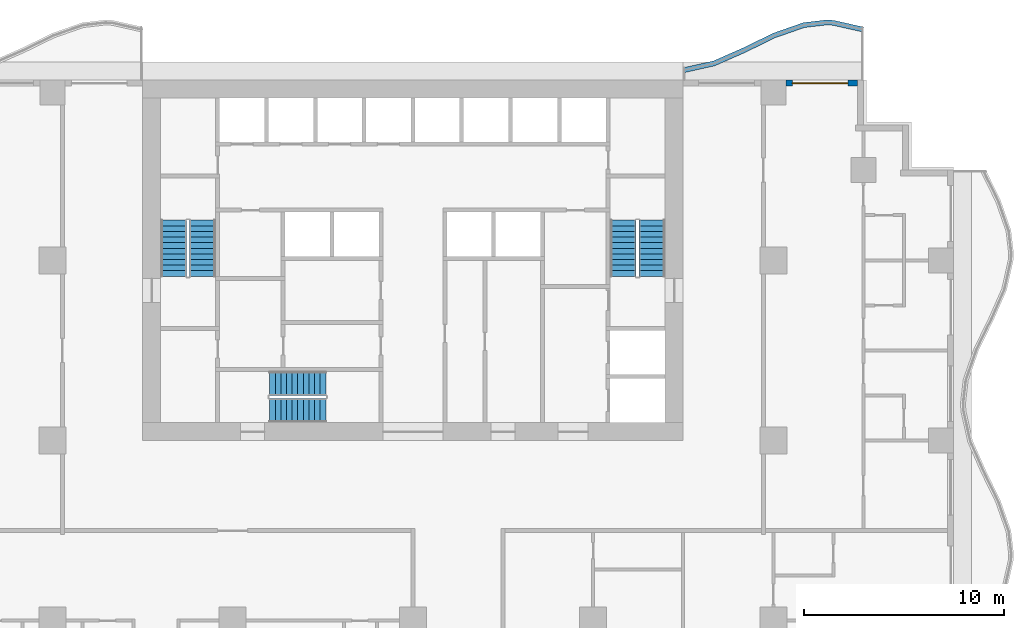
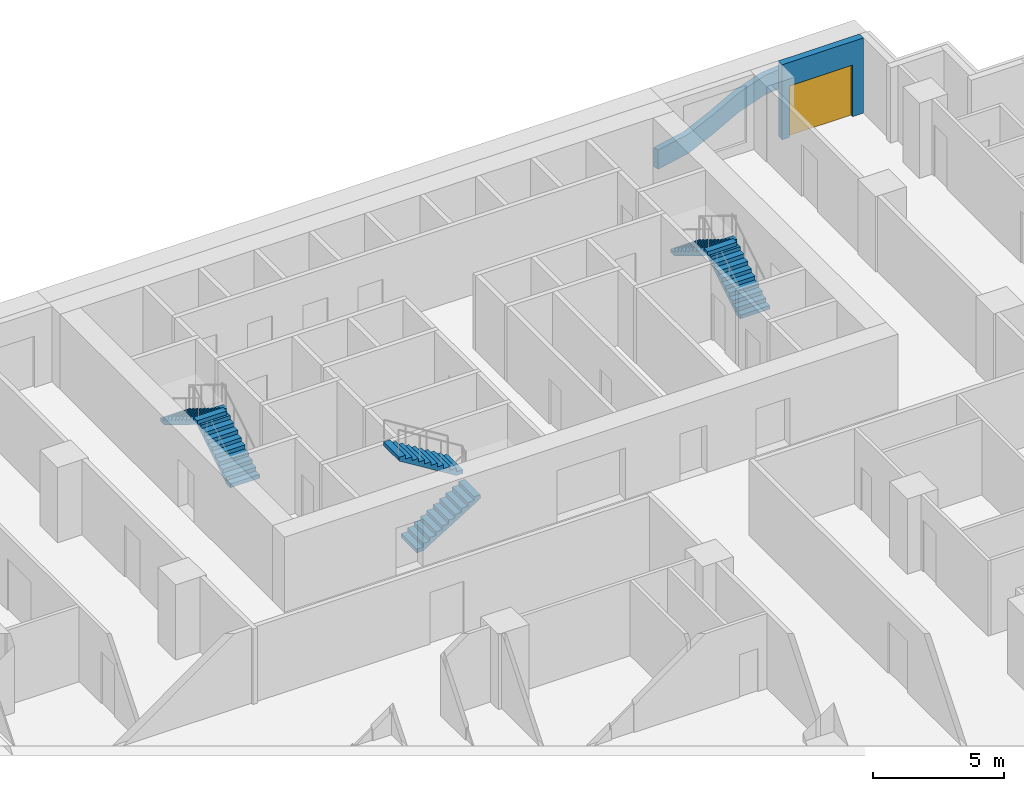
# One storey, part 7 of 14: 6 stair flights, 2 walls, 1 door, 1 opening, 3 elements without a shape of their own.
"""IFC4 building model written with IfcOpenShell, lengths in metres."""

import ifcopenshell
import ifcopenshell.guid

model = None  # the IFC model being written
_history = None  # IfcOwnerHistory: only IFC2X3 demands one
_inside = {}  # id of a spatial element -> (the spatial element, [elements in it])
_under = {}  # id of a project, library or spatial element -> (it, [spatial elements below it])
_declared = {}  # id of a project -> (the project, [libraries it declares])
_typed = {}  # id of a type object -> (the type object, [elements of that type])
_made_of = {}  # id of a material, layer set ... -> (it, [elements and type objects made of it])


def new_model(schema):
    """Start an empty IFC model of exactly this schema.

    Asked for "IFC4X3", IfcOpenShell would pick the latest addendum, in which some entities
    have other attributes; the version numbers below select the first issue.
    IFC2X3 requires an IfcOwnerHistory on every rooted entity: one is made here for all.
    """
    global model, _history
    if schema == "IFC4X3":
        model = ifcopenshell.file(schema_version=(4, 3, 0, 0))
    else:
        model = ifcopenshell.file(schema=schema)
    _inside.clear()
    _under.clear()
    _declared.clear()
    _typed.clear()
    _made_of.clear()
    _history = None
    if model.schema == "IFC2X3":
        org = make("IfcOrganization", Name="unknown")
        user = make(
            "IfcPersonAndOrganization",
            ThePerson=make("IfcPerson", FamilyName="unknown"),
            TheOrganization=org,
        )
        app = make(
            "IfcApplication",
            ApplicationDeveloper=org,
            Version="unknown",
            ApplicationFullName="unknown",
            ApplicationIdentifier="unknown",
        )
        _history = make(
            "IfcOwnerHistory",
            OwningUser=user,
            OwningApplication=app,
            ChangeAction="ADDED",
            CreationDate=0,
        )
    return model


def make(cls, **values):
    """One entity of the class cls with the attributes given. An attribute that is None is left unset."""
    return model.create_entity(
        cls, **{name: value for name, value in values.items() if value is not None}
    )


def rooted(cls, **values):
    """An entity with a GlobalId (a new one), such as an element, a storey or a relation."""
    return make(cls, GlobalId=ifcopenshell.guid.new(), OwnerHistory=_history, **values)


def si_unit(unit_type, name, prefix=None):
    """IfcSIUnit, for example si_unit("LENGTHUNIT", "METRE", prefix="MILLI")."""
    return make("IfcSIUnit", UnitType=unit_type, Prefix=prefix, Name=name)


def assignment(units):
    """IfcUnitAssignment: the units of a project."""
    return None if units is None else make("IfcUnitAssignment", Units=units)


def point(xyz):
    """IfcCartesianPoint."""
    return None if xyz is None else make("IfcCartesianPoint", Coordinates=xyz)


def direction(xyz):
    """IfcDirection."""
    return None if xyz is None else make("IfcDirection", DirectionRatios=xyz)


def frame(location, z_axis=None, x_axis=None):
    """IfcAxis2Placement3D, a coordinate frame: its origin and axes. An axis left out is left unset."""
    return make(
        "IfcAxis2Placement3D",
        Location=point(location),
        Axis=direction(z_axis),
        RefDirection=direction(x_axis),
    )


def frame_2d(location, x_axis=None):
    """IfcAxis2Placement2D, a coordinate frame in the plane: its origin and x axis."""
    return make(
        "IfcAxis2Placement2D", Location=point(location), RefDirection=direction(x_axis)
    )


def origin():
    """The frame at (0, 0, 0) with its axes left unset."""
    return frame((0.0, 0.0, 0.0))


def place(relative_to, where):
    """IfcLocalPlacement: puts the frame where relative to a parent placement (None: the world)."""
    return make(
        "IfcLocalPlacement", PlacementRelTo=relative_to, RelativePlacement=where
    )


def context(
    kind, dimensions, precision=None, world=None, true_north=None, identifier=None
):
    """IfcGeometricRepresentationContext, for example the 3D "Model" context."""
    return make(
        "IfcGeometricRepresentationContext",
        ContextIdentifier=identifier,
        ContextType=kind,
        CoordinateSpaceDimension=dimensions,
        Precision=precision,
        WorldCoordinateSystem=world,
        TrueNorth=true_north,
    )


def subcontext(parent, identifier, kind, view, scale=None):
    """IfcGeometricRepresentationSubContext, for example "Body" below "Model"."""
    return make(
        "IfcGeometricRepresentationSubContext",
        ContextIdentifier=identifier,
        ContextType=kind,
        ParentContext=parent,
        TargetScale=scale,
        TargetView=view,
    )


def project(units=None, contexts=None):
    """IfcProject with its units and contexts."""
    return rooted(
        "IfcProject",
        Name="project",
        RepresentationContexts=contexts,
        UnitsInContext=assignment(units),
    )


def spatial(cls, under=None, at=None, **own):
    """A site, building, storey or space (cls), placed at a placement, below another one or the project."""
    s = rooted(cls, ObjectPlacement=at, **own)
    if under is not None:
        _under.setdefault(under.id(), (under, []))[1].append(s)
    return s


def polyline(points):
    """IfcPolyline through the points."""
    return make("IfcPolyline", Points=[point(p) for p in points])


def profile(cls, at=None, kind="AREA", **sizes):
    """A parametric profile (cls). Its sizes go by their IFC names, for example OverallWidth=200.0."""
    return make(cls, ProfileType=kind, Position=at, **sizes)


def rectangle(**sizes):
    """IfcRectangleProfileDef."""
    return profile("IfcRectangleProfileDef", **sizes)


def outline(outer, holes=None, kind="AREA"):
    """IfcArbitraryClosedProfileDef: a profile drawn as a closed curve; with holes, ...WithVoids."""
    if holes is None:
        return make("IfcArbitraryClosedProfileDef", ProfileType=kind, OuterCurve=outer)
    return make(
        "IfcArbitraryProfileDefWithVoids",
        ProfileType=kind,
        OuterCurve=outer,
        InnerCurves=holes,
    )


def extrude(swept, where, along, depth):
    """IfcExtrudedAreaSolid: the profile swept, set in the frame where, extruded along a direction by depth."""
    return make(
        "IfcExtrudedAreaSolid",
        SweptArea=swept,
        Position=where,
        ExtrudedDirection=direction(along),
        Depth=depth,
    )


def shape(context_of_items, identifier, shape_type, items):
    """IfcShapeRepresentation: the items that make up one representation, for example the "Body"."""
    return make(
        "IfcShapeRepresentation",
        ContextOfItems=context_of_items,
        RepresentationIdentifier=identifier,
        RepresentationType=shape_type,
        Items=items,
    )


def material(Name=None, Category=None):
    """IfcMaterial."""
    return make("IfcMaterial", Name=Name, Category=Category)


def layer(
    of_material, thickness, ventilated=None, Name=None, Category=None, Priority=None
):
    """IfcMaterialLayer: one layer of a wall or slab, of a material (None: an air gap)."""
    return make(
        "IfcMaterialLayer",
        Material=of_material,
        LayerThickness=thickness,
        IsVentilated=ventilated,
        Name=Name,
        Category=Category,
        Priority=Priority,
    )


def layer_set(layers, Name=None):
    """IfcMaterialLayerSet."""
    return make("IfcMaterialLayerSet", MaterialLayers=layers, LayerSetName=Name)


def made_of(thing, what):
    """Note that an element or type object is made of a material, layer set ...; save() writes the relation."""
    if what is not None:
        _made_of.setdefault(what.id(), (what, []))[1].append(thing)
    return thing


def type_object(cls, material=None, **own):
    """A type object (cls), such as IfcWallType, which elements share."""
    return made_of(rooted(cls, **own), material)


def element(
    cls,
    number,
    at=None,
    inside=None,
    cuts=None,
    type_object=None,
    material=None,
    context=None,
    identifier="Body",
    shape_type=None,
    held_by="IfcProductDefinitionShape",
    body=None,
    shapes=None,
    **own,
):
    """One element of the class cls, such as IfcWall. Its Tag is "e" and its number.

    at: its placement. inside: the storey or other place that contains it. cuts: it is an
    opening in that element (IfcRelVoidsElement). A single representation is given by context,
    identifier, shape_type and body (its items); several are given by shapes. held_by: the class
    of the entity that holds the representations. save() writes the other relations.
    """
    e = rooted(cls, Tag="e%d" % number, ObjectPlacement=at, **own)
    if body is not None:
        shapes = [shape(context, identifier, shape_type, body)]
    if shapes is not None:
        e.Representation = make(held_by, Representations=shapes)
    if inside is not None:
        _inside.setdefault(inside.id(), (inside, []))[1].append(e)
    if cuts is not None:
        rooted(
            "IfcRelVoidsElement", RelatingBuildingElement=cuts, RelatedOpeningElement=e
        )
    if type_object is not None:
        _typed.setdefault(type_object.id(), (type_object, []))[1].append(e)
    return made_of(e, material)


def fill(opening, filler):
    """IfcRelFillsElement: the door or window that sits in an opening."""
    return rooted(
        "IfcRelFillsElement",
        RelatingOpeningElement=opening,
        RelatedBuildingElement=filler,
    )


def aggregate(whole, parts):
    """IfcRelAggregates: a whole, such as a stair, and the parts it consists of."""
    return rooted("IfcRelAggregates", RelatingObject=whole, RelatedObjects=parts)


def save(model, path):
    """Write the relations noted so far, then the file.

    IfcRelAggregates (storeys below a building ...), IfcRelContainedInSpatialStructure (elements
    in a storey), IfcRelDefinesByType, IfcRelAssociatesMaterial and IfcRelDeclares: one each for
    every whole, place, type object, material and project.
    """
    for whole, parts in _under.values():
        aggregate(whole, parts)
    for where, things in _inside.values():
        rooted(
            "IfcRelContainedInSpatialStructure",
            RelatedElements=things,
            RelatingStructure=where,
        )
    for kind, things in _typed.values():
        rooted("IfcRelDefinesByType", RelatedObjects=things, RelatingType=kind)
    for what, things in _made_of.values():
        rooted("IfcRelAssociatesMaterial", RelatedObjects=things, RelatingMaterial=what)
    for by, libraries in _declared.values():
        rooted("IfcRelDeclares", RelatingContext=by, RelatedDefinitions=libraries)
    model.write(path)


model = new_model("IFC4")

# Units and contexts
model_context = context("Model", 3, precision=1e-05, world=origin(), true_north=direction((0.0, 1.0)))
body_context = subcontext(model_context, "Body", "Model", "MODEL_VIEW")
ifc_project = project(units=[si_unit("LENGTHUNIT", "METRE"), si_unit("AREAUNIT", "SQUARE_METRE"), si_unit("VOLUMEUNIT", "CUBIC_METRE"), si_unit("PLANEANGLEUNIT", "RADIAN"), si_unit("MASSUNIT", "GRAM", prefix="KILO")], contexts=[model_context])

# Site, building, storey
site_placement = place(None, origin())
site = spatial("IfcSite", under=ifc_project, at=site_placement, CompositionType="ELEMENT")
building_placement = place(site_placement, origin())
building = spatial("IfcBuilding", under=site, at=building_placement, Name="Orbiselva Terraces", CompositionType="ELEMENT")
storey_placement = place(building_placement, frame((0.0, 0.0, 111.2)))
storey = spatial("IfcBuildingStorey", under=building, at=storey_placement, Name="L28", CompositionType="ELEMENT", Elevation=111.2)

# Wall
ifc_material_1 = material(Name="Concrete C40/50", Category="concrete")
ifc_layer_1 = layer(ifc_material_1, 0.25)
ifc_layer_set_1 = layer_set([ifc_layer_1], Name="Concrete C40/50")
wall_type_1 = type_object("IfcWallType", Name="ENV-PLANTER-250x900", PredefinedType="USERDEFINED", material=ifc_layer_set_1)
wall_1_placement = place(storey_placement, origin())
element("IfcWall", 1, at=wall_1_placement, inside=storey, type_object=wall_type_1, Name="Balcony planter L28 NE", ObjectType="PLANTER", PredefinedType="USERDEFINED", context=body_context, shape_type="SweptSolid", body=[
    extrude(outline(polyline([(22.5, 25.148528), (21.0, 25.485226), (20.625, 25.5), (19.5, 25.369208), (18.0, 24.844789), (16.5, 24.112279), (15.0, 23.451472), (13.5, 23.114774), (13.554754, 22.870844), (15.078508, 23.212874), (16.605286, 23.885477), (18.09644, 24.613667), (19.556371, 25.124078), (20.634572, 25.249429), (20.967435, 25.236315), (22.445246, 24.904598), (22.5, 25.148528)])), origin(), (0.0, 0.0, 1.0), 0.9),
])

# Wall, opening, door
ifc_material_2 = material(Name="Terracotta cladding on masonry backing", Category="masonry")
ifc_layer_2 = layer(ifc_material_2, 0.3)
ifc_layer_set_2 = layer_set([ifc_layer_2], Name="Terracotta cladding on masonry backing")
wall_type_2 = type_object("IfcWallType", Name="ENV-WALL-TERRACOTTA-300", PredefinedType="SOLIDWALL", material=ifc_layer_set_2)
wall_2_placement = place(storey_placement, frame((18.625, 22.35, 0.0), z_axis=(0.0, 0.0, 1.0), x_axis=(1.0, 0.0, 0.0)))
wall_2 = element("IfcWall", 2, at=wall_2_placement, inside=storey, type_object=wall_type_2, Name="Facade wall L28 NE", PredefinedType="SOLIDWALL", context=body_context, shape_type="SweptSolid", body=[
    extrude(rectangle(XDim=3.575, YDim=0.3, at=frame_2d((1.7875, 0.0))), origin(), (0.0, 0.0, 1.0), 3.5),
])
opening_placement = place(wall_2_placement, frame((0.325, 0.0, 0.0)))
opening = element("IfcOpeningElement", 3, at=opening_placement, cuts=wall_2, Name="Opening Z2-D-E15", PredefinedType="OPENING", context=body_context, shape_type="SweptSolid", body=[
    extrude(rectangle(XDim=2.775, YDim=2.4, at=frame_2d((1.3875, 1.2))), frame((0.0, 0.16, 0.0), z_axis=(0.0, -1.0, 0.0), x_axis=(1.0, 0.0, 0.0)), (0.0, 0.0, 1.0), 0.32),
])
ifc_material_3 = material(Name="Clear low-e glazing in aluminium frame", Category="aluminium")
door_type = type_object("IfcDoorType", Name="BALCONY DOOR 2775 X 2400", OperationType="DOUBLE_DOOR_SLIDING", PredefinedType="DOOR", material=ifc_material_3)
door_placement = place(opening_placement, origin())
door = element("IfcDoor", 4, at=door_placement, inside=storey, type_object=door_type, Name="Z2-D-E15", OperationType="SINGLE_SWING_LEFT", OverallHeight=2.4, OverallWidth=2.775, PredefinedType="DOOR", context=body_context, shape_type="SweptSolid", body=[
    extrude(rectangle(XDim=2.775, YDim=2.4, at=frame_2d((1.3875, 1.2))), frame((0.0, 0.025, 0.0), z_axis=(0.0, -1.0, 0.0), x_axis=(1.0, 0.0, 0.0)), (0.0, 0.0, 1.0), 0.05),
])
fill(opening, door)

# Stair, stair flights
stair_type_1 = type_object("IfcStairType", Name="CORE-STAIR-1200", PredefinedType="HALF_TURN_STAIR", material=ifc_material_1)
stair_1_placement = place(storey_placement, origin())
stair_1 = element("IfcStair", 5, at=stair_1_placement, inside=storey, type_object=stair_type_1, Name="L28 Exit Stair S3", PredefinedType="HALF_TURN_STAIR")
stair_flight_type_1 = type_object("IfcStairFlightType", Name="CORE-STAIR-FLIGHT-1200", PredefinedType="STRAIGHT", material=ifc_material_1)
stair_flight_1_placement = place(storey_placement, frame((-7.15, 6.0, 0.0), z_axis=(0.0, 0.0, 1.0), x_axis=(1.0, 0.0, 0.0)))
stair_flight_1 = element("IfcStairFlight", 6, at=stair_flight_1_placement, type_object=stair_flight_type_1, Name="S3 flight 1", NumberOfRisers=11, NumberOfTreads=10, PredefinedType="STRAIGHT", RiserHeight=0.172727273, TreadLength=0.28, context=body_context, shape_type="SweptSolid", body=[
    extrude(outline(polyline([(0.0, 0.0), (0.0, 0.172727), (0.28, 0.172727), (0.28, 0.345455), (0.56, 0.345455), (0.56, 0.518182), (0.84, 0.518182), (0.84, 0.690909), (1.12, 0.690909), (1.12, 0.863636), (1.4, 0.863636), (1.4, 1.036364), (1.68, 1.036364), (1.68, 1.209091), (1.96, 1.209091), (1.96, 1.381818), (2.24, 1.381818), (2.24, 1.554545), (2.52, 1.554545), (2.52, 1.727273), (2.8, 1.727273), (2.8, 1.9), (2.8, 1.551028), (0.285702, 0.0), (0.0, 0.0)])), frame((0.0, 0.6, 0.0), z_axis=(0.0, -1.0, 0.0), x_axis=(1.0, 0.0, 0.0)), (0.0, 0.0, 1.0), 1.2),
])
stair_flight_2_placement = place(storey_placement, frame((-4.35, 7.35, 1.9), z_axis=(0.0, 0.0, 1.0), x_axis=(-1.0, 0.0, 0.0)))
stair_flight_2 = element("IfcStairFlight", 7, at=stair_flight_2_placement, type_object=stair_flight_type_1, Name="S3 flight 2", NumberOfRisers=11, NumberOfTreads=10, PredefinedType="STRAIGHT", RiserHeight=0.172727273, TreadLength=0.28, context=body_context, shape_type="SweptSolid", body=[
    extrude(outline(polyline([(0.0, 0.0), (0.0, 0.172727), (0.28, 0.172727), (0.28, 0.345455), (0.56, 0.345455), (0.56, 0.518182), (0.84, 0.518182), (0.84, 0.690909), (1.12, 0.690909), (1.12, 0.863636), (1.4, 0.863636), (1.4, 1.036364), (1.68, 1.036364), (1.68, 1.209091), (1.96, 1.209091), (1.96, 1.381818), (2.24, 1.381818), (2.24, 1.554545), (2.52, 1.554545), (2.52, 1.727273), (2.8, 1.727273), (2.8, 1.9), (2.8, 1.551028), (0.285702, 0.0), (0.0, 0.0)])), frame((0.0, 0.6, 0.0), z_axis=(0.0, -1.0, 0.0), x_axis=(1.0, 0.0, 0.0)), (0.0, 0.0, 1.0), 1.2),
])
aggregate(stair_1, [stair_flight_1, stair_flight_2])

stair_type_2 = type_object("IfcStairType", Name="CORE-STAIR-1300", PredefinedType="HALF_TURN_STAIR", material=ifc_material_1)
stair_2_placement = place(storey_placement, origin())
stair_2 = element("IfcStair", 8, at=stair_2_placement, inside=storey, type_object=stair_type_2, Name="L28 Exit Stair S1", PredefinedType="HALF_TURN_STAIR")
stair_flight_type_2 = type_object("IfcStairFlightType", Name="CORE-STAIR-FLIGHT-1300", PredefinedType="STRAIGHT", material=ifc_material_1)
stair_flight_3_placement = place(storey_placement, frame((-10.5, 12.7, 0.0), z_axis=(0.0, 0.0, 1.0), x_axis=(0.0, 1.0, 0.0)))
stair_flight_3 = element("IfcStairFlight", 9, at=stair_flight_3_placement, type_object=stair_flight_type_2, Name="S1 flight 1", NumberOfRisers=11, NumberOfTreads=10, PredefinedType="STRAIGHT", RiserHeight=0.172727273, TreadLength=0.28, context=body_context, shape_type="SweptSolid", body=[
    extrude(outline(polyline([(0.0, 0.0), (0.0, 0.172727), (0.28, 0.172727), (0.28, 0.345455), (0.56, 0.345455), (0.56, 0.518182), (0.84, 0.518182), (0.84, 0.690909), (1.12, 0.690909), (1.12, 0.863636), (1.4, 0.863636), (1.4, 1.036364), (1.68, 1.036364), (1.68, 1.209091), (1.96, 1.209091), (1.96, 1.381818), (2.24, 1.381818), (2.24, 1.554545), (2.52, 1.554545), (2.52, 1.727273), (2.8, 1.727273), (2.8, 1.9), (2.8, 1.551028), (0.285702, 0.0), (0.0, 0.0)])), frame((0.0, 0.65, 0.0), z_axis=(0.0, -1.0, 0.0), x_axis=(1.0, 0.0, 0.0)), (0.0, 0.0, 1.0), 1.3),
])
stair_flight_4_placement = place(storey_placement, frame((-11.95, 15.5, 1.9), z_axis=(0.0, 0.0, 1.0), x_axis=(0.0, -1.0, 0.0)))
stair_flight_4 = element("IfcStairFlight", 10, at=stair_flight_4_placement, type_object=stair_flight_type_2, Name="S1 flight 2", NumberOfRisers=11, NumberOfTreads=10, PredefinedType="STRAIGHT", RiserHeight=0.172727273, TreadLength=0.28, context=body_context, shape_type="SweptSolid", body=[
    extrude(outline(polyline([(0.0, 0.0), (0.0, 0.172727), (0.28, 0.172727), (0.28, 0.345455), (0.56, 0.345455), (0.56, 0.518182), (0.84, 0.518182), (0.84, 0.690909), (1.12, 0.690909), (1.12, 0.863636), (1.4, 0.863636), (1.4, 1.036364), (1.68, 1.036364), (1.68, 1.209091), (1.96, 1.209091), (1.96, 1.381818), (2.24, 1.381818), (2.24, 1.554545), (2.52, 1.554545), (2.52, 1.727273), (2.8, 1.727273), (2.8, 1.9), (2.8, 1.551028), (0.285702, 0.0), (0.0, 0.0)])), frame((0.0, 0.65, 0.0), z_axis=(0.0, -1.0, 0.0), x_axis=(1.0, 0.0, 0.0)), (0.0, 0.0, 1.0), 1.3),
])
aggregate(stair_2, [stair_flight_3, stair_flight_4])

stair_3_placement = place(storey_placement, origin())
stair_3 = element("IfcStair", 11, at=stair_3_placement, inside=storey, type_object=stair_type_2, Name="L28 Exit Stair S2", PredefinedType="HALF_TURN_STAIR")
stair_flight_5_placement = place(storey_placement, frame((11.95, 12.7, 0.0), z_axis=(0.0, 0.0, 1.0), x_axis=(0.0, 1.0, 0.0)))
stair_flight_5 = element("IfcStairFlight", 12, at=stair_flight_5_placement, type_object=stair_flight_type_2, Name="S2 flight 1", NumberOfRisers=11, NumberOfTreads=10, PredefinedType="STRAIGHT", RiserHeight=0.172727273, TreadLength=0.28, context=body_context, shape_type="SweptSolid", body=[
    extrude(outline(polyline([(0.0, 0.0), (0.0, 0.172727), (0.28, 0.172727), (0.28, 0.345455), (0.56, 0.345455), (0.56, 0.518182), (0.84, 0.518182), (0.84, 0.690909), (1.12, 0.690909), (1.12, 0.863636), (1.4, 0.863636), (1.4, 1.036364), (1.68, 1.036364), (1.68, 1.209091), (1.96, 1.209091), (1.96, 1.381818), (2.24, 1.381818), (2.24, 1.554545), (2.52, 1.554545), (2.52, 1.727273), (2.8, 1.727273), (2.8, 1.9), (2.8, 1.551028), (0.285702, 0.0), (0.0, 0.0)])), frame((0.0, 0.65, 0.0), z_axis=(0.0, -1.0, 0.0), x_axis=(1.0, 0.0, 0.0)), (0.0, 0.0, 1.0), 1.3),
])
stair_flight_6_placement = place(storey_placement, frame((10.5, 15.5, 1.9), z_axis=(0.0, 0.0, 1.0), x_axis=(0.0, -1.0, 0.0)))
stair_flight_6 = element("IfcStairFlight", 13, at=stair_flight_6_placement, type_object=stair_flight_type_2, Name="S2 flight 2", NumberOfRisers=11, NumberOfTreads=10, PredefinedType="STRAIGHT", RiserHeight=0.172727273, TreadLength=0.28, context=body_context, shape_type="SweptSolid", body=[
    extrude(outline(polyline([(0.0, 0.0), (0.0, 0.172727), (0.28, 0.172727), (0.28, 0.345455), (0.56, 0.345455), (0.56, 0.518182), (0.84, 0.518182), (0.84, 0.690909), (1.12, 0.690909), (1.12, 0.863636), (1.4, 0.863636), (1.4, 1.036364), (1.68, 1.036364), (1.68, 1.209091), (1.96, 1.209091), (1.96, 1.381818), (2.24, 1.381818), (2.24, 1.554545), (2.52, 1.554545), (2.52, 1.727273), (2.8, 1.727273), (2.8, 1.9), (2.8, 1.551028), (0.285702, 0.0), (0.0, 0.0)])), frame((0.0, 0.65, 0.0), z_axis=(0.0, -1.0, 0.0), x_axis=(1.0, 0.0, 0.0)), (0.0, 0.0, 1.0), 1.3),
])
aggregate(stair_3, [stair_flight_5, stair_flight_6])

save(model, "model.ifc")
